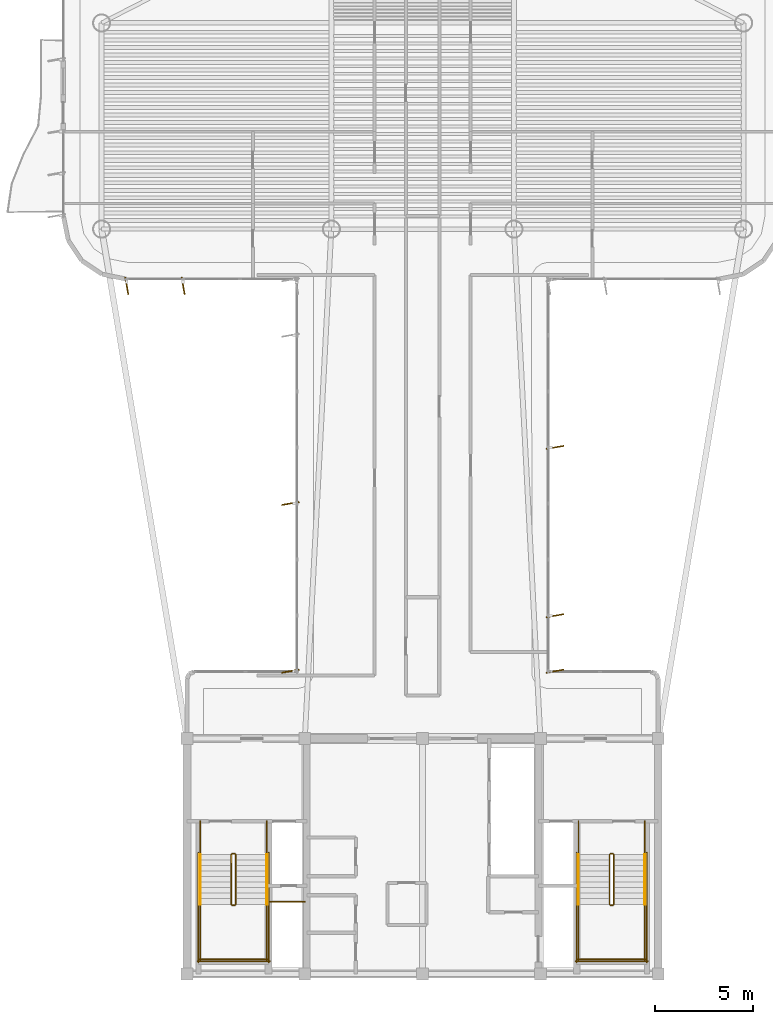
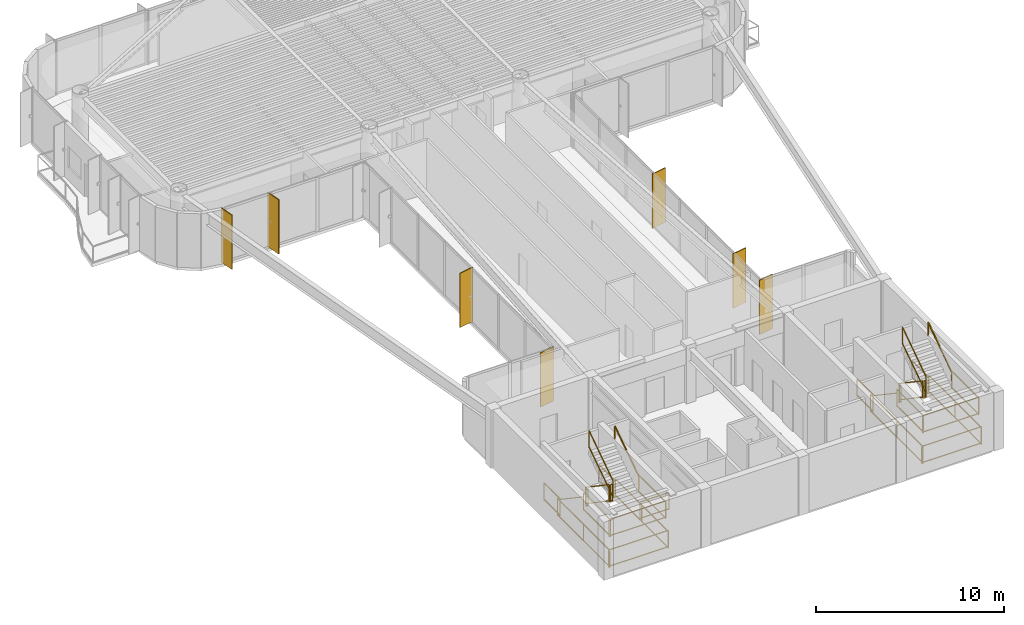
# One storey, part 14 of 15: 29 railings, 7 shading devices.
"""IFC4 building model written with IfcOpenShell, lengths in metres."""

import ifcopenshell
import ifcopenshell.guid

model = None  # the IFC model being written
_history = None  # IfcOwnerHistory: only IFC2X3 demands one
_inside = {}  # id of a spatial element -> (the spatial element, [elements in it])
_under = {}  # id of a project, library or spatial element -> (it, [spatial elements below it])
_declared = {}  # id of a project -> (the project, [libraries it declares])
_typed = {}  # id of a type object -> (the type object, [elements of that type])
_made_of = {}  # id of a material, layer set ... -> (it, [elements and type objects made of it])


def new_model(schema):
    """Start an empty IFC model of exactly this schema.

    Asked for "IFC4X3", IfcOpenShell would pick the latest addendum, in which some entities
    have other attributes; the version numbers below select the first issue.
    IFC2X3 requires an IfcOwnerHistory on every rooted entity: one is made here for all.
    """
    global model, _history
    if schema == "IFC4X3":
        model = ifcopenshell.file(schema_version=(4, 3, 0, 0))
    else:
        model = ifcopenshell.file(schema=schema)
    _inside.clear()
    _under.clear()
    _declared.clear()
    _typed.clear()
    _made_of.clear()
    _history = None
    if model.schema == "IFC2X3":
        org = make("IfcOrganization", Name="unknown")
        user = make(
            "IfcPersonAndOrganization",
            ThePerson=make("IfcPerson", FamilyName="unknown"),
            TheOrganization=org,
        )
        app = make(
            "IfcApplication",
            ApplicationDeveloper=org,
            Version="unknown",
            ApplicationFullName="unknown",
            ApplicationIdentifier="unknown",
        )
        _history = make(
            "IfcOwnerHistory",
            OwningUser=user,
            OwningApplication=app,
            ChangeAction="ADDED",
            CreationDate=0,
        )
    return model


def make(cls, **values):
    """One entity of the class cls with the attributes given. An attribute that is None is left unset."""
    return model.create_entity(
        cls, **{name: value for name, value in values.items() if value is not None}
    )


def rooted(cls, **values):
    """An entity with a GlobalId (a new one), such as an element, a storey or a relation."""
    return make(cls, GlobalId=ifcopenshell.guid.new(), OwnerHistory=_history, **values)


def si_unit(unit_type, name, prefix=None):
    """IfcSIUnit, for example si_unit("LENGTHUNIT", "METRE", prefix="MILLI")."""
    return make("IfcSIUnit", UnitType=unit_type, Prefix=prefix, Name=name)


def assignment(units):
    """IfcUnitAssignment: the units of a project."""
    return None if units is None else make("IfcUnitAssignment", Units=units)


def point(xyz):
    """IfcCartesianPoint."""
    return None if xyz is None else make("IfcCartesianPoint", Coordinates=xyz)


def direction(xyz):
    """IfcDirection."""
    return None if xyz is None else make("IfcDirection", DirectionRatios=xyz)


def frame(location, z_axis=None, x_axis=None):
    """IfcAxis2Placement3D, a coordinate frame: its origin and axes. An axis left out is left unset."""
    return make(
        "IfcAxis2Placement3D",
        Location=point(location),
        Axis=direction(z_axis),
        RefDirection=direction(x_axis),
    )


def frame_2d(location, x_axis=None):
    """IfcAxis2Placement2D, a coordinate frame in the plane: its origin and x axis."""
    return make(
        "IfcAxis2Placement2D", Location=point(location), RefDirection=direction(x_axis)
    )


def origin():
    """The frame at (0, 0, 0) with its axes left unset."""
    return frame((0.0, 0.0, 0.0))


def origin_2d():
    """The frame at (0, 0) in the plane with its x axis left unset."""
    return frame_2d((0.0, 0.0))


def place(relative_to, where):
    """IfcLocalPlacement: puts the frame where relative to a parent placement (None: the world)."""
    return make(
        "IfcLocalPlacement", PlacementRelTo=relative_to, RelativePlacement=where
    )


def context(
    kind, dimensions, precision=None, world=None, true_north=None, identifier=None
):
    """IfcGeometricRepresentationContext, for example the 3D "Model" context."""
    return make(
        "IfcGeometricRepresentationContext",
        ContextIdentifier=identifier,
        ContextType=kind,
        CoordinateSpaceDimension=dimensions,
        Precision=precision,
        WorldCoordinateSystem=world,
        TrueNorth=true_north,
    )


def subcontext(parent, identifier, kind, view, scale=None):
    """IfcGeometricRepresentationSubContext, for example "Body" below "Model"."""
    return make(
        "IfcGeometricRepresentationSubContext",
        ContextIdentifier=identifier,
        ContextType=kind,
        ParentContext=parent,
        TargetScale=scale,
        TargetView=view,
    )


def project(units=None, contexts=None):
    """IfcProject with its units and contexts."""
    return rooted(
        "IfcProject",
        Name="project",
        RepresentationContexts=contexts,
        UnitsInContext=assignment(units),
    )


def spatial(cls, under=None, at=None, **own):
    """A site, building, storey or space (cls), placed at a placement, below another one or the project."""
    s = rooted(cls, ObjectPlacement=at, **own)
    if under is not None:
        _under.setdefault(under.id(), (under, []))[1].append(s)
    return s


def profile(cls, at=None, kind="AREA", **sizes):
    """A parametric profile (cls). Its sizes go by their IFC names, for example OverallWidth=200.0."""
    return make(cls, ProfileType=kind, Position=at, **sizes)


def rectangle(**sizes):
    """IfcRectangleProfileDef."""
    return profile("IfcRectangleProfileDef", **sizes)


def extrude(swept, where, along, depth):
    """IfcExtrudedAreaSolid: the profile swept, set in the frame where, extruded along a direction by depth."""
    return make(
        "IfcExtrudedAreaSolid",
        SweptArea=swept,
        Position=where,
        ExtrudedDirection=direction(along),
        Depth=depth,
    )


def shape(context_of_items, identifier, shape_type, items):
    """IfcShapeRepresentation: the items that make up one representation, for example the "Body"."""
    return make(
        "IfcShapeRepresentation",
        ContextOfItems=context_of_items,
        RepresentationIdentifier=identifier,
        RepresentationType=shape_type,
        Items=items,
    )


def source(mapping_origin, context_of_items, identifier, shape_type, items):
    """IfcRepresentationMap: a shape defined once, which mapped items show again and again."""
    return make(
        "IfcRepresentationMap",
        MappingOrigin=mapping_origin,
        MappedRepresentation=shape(context_of_items, identifier, shape_type, items),
    )


def transform(
    local_origin,
    x_axis=None,
    y_axis=None,
    z_axis=None,
    scale=None,
    scale2=None,
    scale3=None,
    uniform=True,
):
    """IfcCartesianTransformationOperator3D, or its non-uniform kind. x_axis, y_axis, z_axis: its Axis1, 2, 3."""
    if uniform:
        return make(
            "IfcCartesianTransformationOperator3D",
            Axis1=direction(x_axis),
            Axis2=direction(y_axis),
            LocalOrigin=point(local_origin),
            Scale=scale,
            Axis3=direction(z_axis),
        )
    return make(
        "IfcCartesianTransformationOperator3DnonUniform",
        Axis1=direction(x_axis),
        Axis2=direction(y_axis),
        LocalOrigin=point(local_origin),
        Scale=scale,
        Axis3=direction(z_axis),
        Scale2=scale2,
        Scale3=scale3,
    )


def mapped(mapping_source, mapping_target):
    """IfcMappedItem: shows the shape of a source again, moved by a transform."""
    return make(
        "IfcMappedItem", MappingSource=mapping_source, MappingTarget=mapping_target
    )


def material(Name=None, Category=None):
    """IfcMaterial."""
    return make("IfcMaterial", Name=Name, Category=Category)


def layer(
    of_material, thickness, ventilated=None, Name=None, Category=None, Priority=None
):
    """IfcMaterialLayer: one layer of a wall or slab, of a material (None: an air gap)."""
    return make(
        "IfcMaterialLayer",
        Material=of_material,
        LayerThickness=thickness,
        IsVentilated=ventilated,
        Name=Name,
        Category=Category,
        Priority=Priority,
    )


def layer_set(layers, Name=None):
    """IfcMaterialLayerSet."""
    return make("IfcMaterialLayerSet", MaterialLayers=layers, LayerSetName=Name)


def material_profile(
    of_material, cross_section, Name=None, Category=None, Priority=None
):
    """IfcMaterialProfile: a cross section and its material."""
    return make(
        "IfcMaterialProfile",
        Name=Name,
        Material=of_material,
        Profile=cross_section,
        Priority=Priority,
        Category=Category,
    )


def profile_set(profiles, Name=None, composite=None):
    """IfcMaterialProfileSet."""
    return make(
        "IfcMaterialProfileSet",
        Name=Name,
        MaterialProfiles=profiles,
        CompositeProfile=composite,
    )


def made_of(thing, what):
    """Note that an element or type object is made of a material, layer set ...; save() writes the relation."""
    if what is not None:
        _made_of.setdefault(what.id(), (what, []))[1].append(thing)
    return thing


def type_object(cls, material=None, **own):
    """A type object (cls), such as IfcWallType, which elements share."""
    return made_of(rooted(cls, **own), material)


def element(
    cls,
    number,
    at=None,
    inside=None,
    cuts=None,
    type_object=None,
    material=None,
    context=None,
    identifier="Body",
    shape_type=None,
    held_by="IfcProductDefinitionShape",
    body=None,
    shapes=None,
    **own,
):
    """One element of the class cls, such as IfcWall. Its Tag is "e" and its number.

    at: its placement. inside: the storey or other place that contains it. cuts: it is an
    opening in that element (IfcRelVoidsElement). A single representation is given by context,
    identifier, shape_type and body (its items); several are given by shapes. held_by: the class
    of the entity that holds the representations. save() writes the other relations.
    """
    e = rooted(cls, Tag="e%d" % number, ObjectPlacement=at, **own)
    if body is not None:
        shapes = [shape(context, identifier, shape_type, body)]
    if shapes is not None:
        e.Representation = make(held_by, Representations=shapes)
    if inside is not None:
        _inside.setdefault(inside.id(), (inside, []))[1].append(e)
    if cuts is not None:
        rooted(
            "IfcRelVoidsElement", RelatingBuildingElement=cuts, RelatedOpeningElement=e
        )
    if type_object is not None:
        _typed.setdefault(type_object.id(), (type_object, []))[1].append(e)
    return made_of(e, material)


def aggregate(whole, parts):
    """IfcRelAggregates: a whole, such as a stair, and the parts it consists of."""
    return rooted("IfcRelAggregates", RelatingObject=whole, RelatedObjects=parts)


def save(model, path):
    """Write the relations noted so far, then the file.

    IfcRelAggregates (storeys below a building ...), IfcRelContainedInSpatialStructure (elements
    in a storey), IfcRelDefinesByType, IfcRelAssociatesMaterial and IfcRelDeclares: one each for
    every whole, place, type object, material and project.
    """
    for whole, parts in _under.values():
        aggregate(whole, parts)
    for where, things in _inside.values():
        rooted(
            "IfcRelContainedInSpatialStructure",
            RelatedElements=things,
            RelatingStructure=where,
        )
    for kind, things in _typed.values():
        rooted("IfcRelDefinesByType", RelatedObjects=things, RelatingType=kind)
    for what, things in _made_of.values():
        rooted("IfcRelAssociatesMaterial", RelatedObjects=things, RelatingMaterial=what)
    for by, libraries in _declared.values():
        rooted("IfcRelDeclares", RelatingContext=by, RelatedDefinitions=libraries)
    model.write(path)


model = new_model("IFC4")

# Units and contexts
model_context = context("Model", 3, precision=1e-05, world=origin(), true_north=direction((0.0, 1.0)))
body_context = subcontext(model_context, "Body", "Model", "MODEL_VIEW")
ifc_project = project(units=[si_unit("LENGTHUNIT", "METRE"), si_unit("AREAUNIT", "SQUARE_METRE"), si_unit("VOLUMEUNIT", "CUBIC_METRE"), si_unit("PLANEANGLEUNIT", "RADIAN"), si_unit("MASSUNIT", "GRAM", prefix="KILO")], contexts=[model_context])

# Site, building, storey
site_placement = place(None, origin())
site = spatial("IfcSite", under=ifc_project, at=site_placement, CompositionType="ELEMENT")
building_placement = place(site_placement, origin())
building = spatial("IfcBuilding", under=site, at=building_placement, Name="Brelvock Crest Care Tower", CompositionType="ELEMENT")
storey_placement = place(building_placement, frame((0.0, 0.0, 241.919921875)))
storey = spatial("IfcBuildingStorey", under=building, at=storey_placement, Name="L61", CompositionType="ELEMENT", Elevation=241.919921875)

# Railings
ifc_material_1 = material(Name="Steel Grade 350", Category="steel")
ifc_layer_1 = layer(ifc_material_1, 0.050048828125, Name="RL-STG1")
ifc_layer_set_1 = layer_set([ifc_layer_1], Name="Steel Grade 350")
railing_type_1 = type_object("IfcRailingType", Name="RL-STG1", PredefinedType="GUARDRAIL", material=ifc_layer_set_1)
railing_1_placement = place(storey_placement, frame((26.260009765625, 12.080078125, 0.18896484375)))
element("IfcRailing", 1, at=railing_1_placement, inside=storey, type_object=railing_type_1, Name="L61 ST-1 stair guard 1", PredefinedType="GUARDRAIL", context=body_context, shape_type="SweptSolid", body=[
    extrude(rectangle(XDim=0.048095703125, YDim=0.048095703125, at=origin_2d()), frame((0.0, -0.001708984375, 1.116943359375), z_axis=(0.0, -0.82882447046, 0.559508710537), x_axis=(1.0, 0.0, 0.0)), (0.0, 0.0, 1.0), 3.036376953125),
    extrude(rectangle(XDim=0.048095703125, YDim=0.048095703125, at=origin_2d()), frame((0.0, -0.001708984375, 0.05615234375), z_axis=(0.0, -0.82882447046, 0.559508710537), x_axis=(1.0, 0.0, 0.0)), (0.0, 0.0, 1.0), 3.036376953125),
    extrude(rectangle(XDim=0.0419921875, YDim=0.0419921875, at=origin_2d()), origin(), (0.0, 0.0, 1.0), 1.08984375),
    extrude(rectangle(XDim=0.0419921875, YDim=0.0419921875, at=origin_2d()), frame((0.0, -2.52001953125, 1.701171875)), (0.0, 0.0, 1.0), 1.08984375),
])
railing_2_placement = place(storey_placement, frame((26.31005859375, 9.510009765625, 1.89013671875)))
element("IfcRailing", 2, at=railing_2_placement, inside=storey, type_object=railing_type_1, Name="L61 ST-1 stair guard 2", PredefinedType="GUARDRAIL", context=body_context, shape_type="SweptSolid", body=[
    extrude(rectangle(XDim=0.048095703125, YDim=0.048095703125, at=origin_2d()), frame((0.001953125, 0.0, 1.11572265625), z_axis=(1.0, 0.0, 0.0), x_axis=(0.0, 1.0, 0.0)), (0.0, 0.0, 1.0), 0.115966796875),
    extrude(rectangle(XDim=0.048095703125, YDim=0.048095703125, at=origin_2d()), frame((0.001953125, 0.0, 0.054931640625), z_axis=(1.0, 0.0, 0.0), x_axis=(0.0, 1.0, 0.0)), (0.0, 0.0, 1.0), 0.115966796875),
    extrude(rectangle(XDim=0.0419921875, YDim=0.0419921875, at=origin_2d()), origin(), (0.0, 0.0, 1.0), 1.08984375),
    extrude(rectangle(XDim=0.0419921875, YDim=0.0419921875, at=origin_2d()), frame((0.119873046875, 0.0, 0.0)), (0.0, 0.0, 1.0), 1.08984375),
])
for number, where, name in (
    (3, (24.679931640625, 9.56005859375, 1.89013671875), "L61 ST-1 stair guard 3"),
    (4, (28.06005859375, 9.56005859375, 1.89013671875), "L61 ST-1 stair guard 4"),
):
    element("IfcRailing", number, at=place(storey_placement, frame(where)), inside=storey, type_object=railing_type_1, Name=name, PredefinedType="GUARDRAIL", context=body_context, shape_type="SweptSolid", body=[
        extrude(rectangle(XDim=0.048095703125, YDim=0.048095703125, at=origin_2d()), frame((0.0, -0.001953125, 1.11572265625), z_axis=(0.0, -1.0, 0.0), x_axis=(1.0, 0.0, 0.0)), (0.0, 0.0, 1.0), 2.856201171875),
        extrude(rectangle(XDim=0.048095703125, YDim=0.048095703125, at=origin_2d()), frame((0.0, -0.001953125, 0.054931640625), z_axis=(0.0, -1.0, 0.0), x_axis=(1.0, 0.0, 0.0)), (0.0, 0.0, 1.0), 2.856201171875),
        extrude(rectangle(XDim=0.0419921875, YDim=0.0419921875, at=origin_2d()), origin(), (0.0, 0.0, 1.0), 1.08984375),
        extrude(rectangle(XDim=0.0419921875, YDim=0.0419921875, at=origin_2d()), frame((0.0, -2.860107421875, 0.0)), (0.0, 0.0, 1.0), 1.08984375),
    ])
railing_3_placement = place(storey_placement, frame((24.6298828125, 6.75, 1.89013671875)))
element("IfcRailing", 5, at=railing_3_placement, inside=storey, type_object=railing_type_1, Name="L61 ST-1 stair guard 5", PredefinedType="GUARDRAIL", context=body_context, shape_type="SweptSolid", body=[
    extrude(rectangle(XDim=0.048095703125, YDim=0.048095703125, at=origin_2d()), frame((0.001953125, 0.0, 1.11572265625), z_axis=(1.0, 0.0, 0.0), x_axis=(0.0, 1.0, 0.0)), (0.0, 0.0, 1.0), 3.476318359375),
    extrude(rectangle(XDim=0.048095703125, YDim=0.048095703125, at=origin_2d()), frame((0.001953125, 0.0, 0.054931640625), z_axis=(1.0, 0.0, 0.0), x_axis=(0.0, 1.0, 0.0)), (0.0, 0.0, 1.0), 3.476318359375),
    extrude(rectangle(XDim=0.0419921875, YDim=0.0419921875, at=origin_2d()), origin(), (0.0, 0.0, 1.0), 1.08984375),
    extrude(rectangle(XDim=0.0419921875, YDim=0.0419921875, at=origin_2d()), frame((3.480224609375, 0.0, 0.0)), (0.0, 0.0, 1.0), 1.08984375),
])
railing_4_placement = place(storey_placement, frame((26.47998046875, 9.56005859375, 2.0791015625)))
element("IfcRailing", 6, at=railing_4_placement, inside=storey, type_object=railing_type_1, Name="L61 ST-1 stair guard 6", PredefinedType="GUARDRAIL", context=body_context, shape_type="SweptSolid", body=[
    extrude(rectangle(XDim=0.048095703125, YDim=0.048095703125, at=origin_2d()), frame((0.0, 0.001708984375, 1.116943359375), z_axis=(0.0, 0.828861706735, 0.559453546873), x_axis=(-1.0, 0.0, 0.0)), (0.0, 0.0, 1.0), 3.036376953125),
    extrude(rectangle(XDim=0.048095703125, YDim=0.048095703125, at=origin_2d()), frame((0.0, 0.001708984375, 0.05615234375), z_axis=(0.0, 0.828861706735, 0.559453546873), x_axis=(-1.0, 0.0, 0.0)), (0.0, 0.0, 1.0), 3.036376953125),
    extrude(rectangle(XDim=0.0419921875, YDim=0.0419921875, at=origin_2d()), origin(), (0.0, 0.0, 1.0), 1.08984375),
    extrude(rectangle(XDim=0.0419921875, YDim=0.0419921875, at=origin_2d()), frame((0.0, 2.52001953125, 1.700927734375)), (0.0, 0.0, 1.0), 1.08984375),
])
railing_5_placement = place(storey_placement, frame((26.31005859375, 12.1298828125, 0.0)))
element("IfcRailing", 7, at=railing_5_placement, inside=storey, type_object=railing_type_1, Name="L61 ST-1 stair guard 7", PredefinedType="GUARDRAIL", context=body_context, shape_type="SweptSolid", body=[
    extrude(rectangle(XDim=0.048095703125, YDim=0.048095703125, at=origin_2d()), frame((0.001953125, 0.0, 1.11572265625), z_axis=(1.0, 0.0, 0.0), x_axis=(0.0, 1.0, 0.0)), (0.0, 0.0, 1.0), 0.115966796875),
    extrude(rectangle(XDim=0.048095703125, YDim=0.048095703125, at=origin_2d()), frame((0.001953125, 0.0, 0.054931640625), z_axis=(1.0, 0.0, 0.0), x_axis=(0.0, 1.0, 0.0)), (0.0, 0.0, 1.0), 0.115966796875),
    extrude(rectangle(XDim=0.0419921875, YDim=0.0419921875, at=origin_2d()), origin(), (0.0, 0.0, 1.0), 1.08984375),
    extrude(rectangle(XDim=0.0419921875, YDim=0.0419921875, at=origin_2d()), frame((0.119873046875, 0.0, 0.0)), (0.0, 0.0, 1.0), 1.08984375),
])
for number, where, name in (
    (8, (24.679931640625, 13.780029296875, 0.0), "L61 ST-1 stair guard 8"),
    (9, (28.06005859375, 13.780029296875, 0.0), "L61 ST-1 stair guard 9"),
):
    element("IfcRailing", number, at=place(storey_placement, frame(where)), inside=storey, type_object=railing_type_1, Name=name, PredefinedType="GUARDRAIL", context=body_context, shape_type="SweptSolid", body=[
        extrude(rectangle(XDim=0.048095703125, YDim=0.048095703125, at=origin_2d()), frame((0.0, -0.001953125, 1.11572265625), z_axis=(0.0, -1.0, 0.0), x_axis=(1.0, 0.0, 0.0)), (0.0, 0.0, 1.0), 1.696044921875),
        extrude(rectangle(XDim=0.048095703125, YDim=0.048095703125, at=origin_2d()), frame((0.0, -0.001953125, 0.054931640625), z_axis=(0.0, -1.0, 0.0), x_axis=(1.0, 0.0, 0.0)), (0.0, 0.0, 1.0), 1.696044921875),
        extrude(rectangle(XDim=0.0419921875, YDim=0.0419921875, at=origin_2d()), origin(), (0.0, 0.0, 1.0), 1.08984375),
        extrude(rectangle(XDim=0.0419921875, YDim=0.0419921875, at=origin_2d()), frame((0.0, -1.699951171875, 0.0)), (0.0, 0.0, 1.0), 1.08984375),
    ])
for number, where, name in (
    (10, (24.580078125, 12.179931640625, 0.0), "L61 ST-1 stair guard 10"),
    (11, (28.159912109375, 12.179931640625, 0.0), "L61 ST-1 stair guard 11"),
):
    element("IfcRailing", number, at=place(storey_placement, frame(where)), inside=storey, type_object=railing_type_1, Name=name, PredefinedType="GUARDRAIL", context=body_context, shape_type="SweptSolid", body=[
        extrude(rectangle(XDim=0.048095703125, YDim=0.048095703125, at=origin_2d()), frame((0.0, -0.001953125, 1.11572265625), z_axis=(0.0, -1.0, 0.0), x_axis=(1.0, 0.0, 0.0)), (0.0, 0.0, 1.0), 5.575927734375),
        extrude(rectangle(XDim=0.048095703125, YDim=0.048095703125, at=origin_2d()), frame((0.0, -0.001953125, 0.054931640625), z_axis=(0.0, -1.0, 0.0), x_axis=(1.0, 0.0, 0.0)), (0.0, 0.0, 1.0), 5.575927734375),
        extrude(rectangle(XDim=0.0419921875, YDim=0.0419921875, at=origin_2d()), origin(), (0.0, 0.0, 1.0), 1.08984375),
        extrude(rectangle(XDim=0.0419921875, YDim=0.0419921875, at=origin_2d()), frame((0.0, -2.7900390625, 0.0)), (0.0, 0.0, 1.0), 1.08984375),
        extrude(rectangle(XDim=0.0419921875, YDim=0.0419921875, at=origin_2d()), frame((0.0, -5.579833984375, 0.0)), (0.0, 0.0, 1.0), 1.08984375),
    ])
railing_6_placement = place(storey_placement, frame((24.530029296875, 6.64990234375, 0.0)))
element("IfcRailing", 12, at=railing_6_placement, inside=storey, type_object=railing_type_1, Name="L61 ST-1 stair guard 12", PredefinedType="GUARDRAIL", context=body_context, shape_type="SweptSolid", body=[
    extrude(rectangle(XDim=0.048095703125, YDim=0.048095703125, at=origin_2d()), frame((0.001953125, 0.0, 1.11572265625), z_axis=(1.0, 0.0, 0.0), x_axis=(0.0, 1.0, 0.0)), (0.0, 0.0, 1.0), 3.676025390625),
    extrude(rectangle(XDim=0.048095703125, YDim=0.048095703125, at=origin_2d()), frame((0.001953125, 0.0, 0.054931640625), z_axis=(1.0, 0.0, 0.0), x_axis=(0.0, 1.0, 0.0)), (0.0, 0.0, 1.0), 3.676025390625),
    extrude(rectangle(XDim=0.0419921875, YDim=0.0419921875, at=origin_2d()), origin(), (0.0, 0.0, 1.0), 1.08984375),
    extrude(rectangle(XDim=0.0419921875, YDim=0.0419921875, at=origin_2d()), frame((3.679931640625, 0.0, 0.0)), (0.0, 0.0, 1.0), 1.08984375),
])
railing_7_placement = place(storey_placement, frame((45.52001953125, 12.080078125, 0.18896484375)))
element("IfcRailing", 13, at=railing_7_placement, inside=storey, type_object=railing_type_1, Name="L61 ST-2 stair guard 1", PredefinedType="GUARDRAIL", context=body_context, shape_type="SweptSolid", body=[
    extrude(rectangle(XDim=0.048095703125, YDim=0.048095703125, at=origin_2d()), frame((0.0, -0.001708984375, 1.116943359375), z_axis=(0.0, -0.82882447046, 0.559508710537), x_axis=(1.0, 0.0, 0.0)), (0.0, 0.0, 1.0), 3.036376953125),
    extrude(rectangle(XDim=0.048095703125, YDim=0.048095703125, at=origin_2d()), frame((0.0, -0.001708984375, 0.05615234375), z_axis=(0.0, -0.82882447046, 0.559508710537), x_axis=(1.0, 0.0, 0.0)), (0.0, 0.0, 1.0), 3.036376953125),
    extrude(rectangle(XDim=0.0419921875, YDim=0.0419921875, at=origin_2d()), origin(), (0.0, 0.0, 1.0), 1.08984375),
    extrude(rectangle(XDim=0.0419921875, YDim=0.0419921875, at=origin_2d()), frame((0.0, -2.52001953125, 1.701171875)), (0.0, 0.0, 1.0), 1.08984375),
])
railing_8_placement = place(storey_placement, frame((45.570068359375, 9.510009765625, 1.89013671875)))
element("IfcRailing", 14, at=railing_8_placement, inside=storey, type_object=railing_type_1, Name="L61 ST-2 stair guard 2", PredefinedType="GUARDRAIL", context=body_context, shape_type="SweptSolid", body=[
    extrude(rectangle(XDim=0.048095703125, YDim=0.048095703125, at=origin_2d()), frame((0.001953125, 0.0, 1.11572265625), z_axis=(1.0, 0.0, 0.0), x_axis=(0.0, 1.0, 0.0)), (0.0, 0.0, 1.0), 0.115966796875),
    extrude(rectangle(XDim=0.048095703125, YDim=0.048095703125, at=origin_2d()), frame((0.001953125, 0.0, 0.054931640625), z_axis=(1.0, 0.0, 0.0), x_axis=(0.0, 1.0, 0.0)), (0.0, 0.0, 1.0), 0.115966796875),
    extrude(rectangle(XDim=0.0419921875, YDim=0.0419921875, at=origin_2d()), origin(), (0.0, 0.0, 1.0), 1.08984375),
    extrude(rectangle(XDim=0.0419921875, YDim=0.0419921875, at=origin_2d()), frame((0.119873046875, 0.0, 0.0)), (0.0, 0.0, 1.0), 1.08984375),
])
for number, where, name in (
    (15, (43.93994140625, 9.56005859375, 1.89013671875), "L61 ST-2 stair guard 3"),
    (16, (47.320068359375, 9.56005859375, 1.89013671875), "L61 ST-2 stair guard 4"),
):
    element("IfcRailing", number, at=place(storey_placement, frame(where)), inside=storey, type_object=railing_type_1, Name=name, PredefinedType="GUARDRAIL", context=body_context, shape_type="SweptSolid", body=[
        extrude(rectangle(XDim=0.048095703125, YDim=0.048095703125, at=origin_2d()), frame((0.0, -0.001953125, 1.11572265625), z_axis=(0.0, -1.0, 0.0), x_axis=(1.0, 0.0, 0.0)), (0.0, 0.0, 1.0), 2.856201171875),
        extrude(rectangle(XDim=0.048095703125, YDim=0.048095703125, at=origin_2d()), frame((0.0, -0.001953125, 0.054931640625), z_axis=(0.0, -1.0, 0.0), x_axis=(1.0, 0.0, 0.0)), (0.0, 0.0, 1.0), 2.856201171875),
        extrude(rectangle(XDim=0.0419921875, YDim=0.0419921875, at=origin_2d()), origin(), (0.0, 0.0, 1.0), 1.08984375),
        extrude(rectangle(XDim=0.0419921875, YDim=0.0419921875, at=origin_2d()), frame((0.0, -2.860107421875, 0.0)), (0.0, 0.0, 1.0), 1.08984375),
    ])
railing_9_placement = place(storey_placement, frame((43.889892578125, 6.75, 1.89013671875)))
element("IfcRailing", 17, at=railing_9_placement, inside=storey, type_object=railing_type_1, Name="L61 ST-2 stair guard 5", PredefinedType="GUARDRAIL", context=body_context, shape_type="SweptSolid", body=[
    extrude(rectangle(XDim=0.048095703125, YDim=0.048095703125, at=origin_2d()), frame((0.001953125, 0.0, 1.11572265625), z_axis=(1.0, 0.0, 0.0), x_axis=(0.0, 1.0, 0.0)), (0.0, 0.0, 1.0), 3.476318359375),
    extrude(rectangle(XDim=0.048095703125, YDim=0.048095703125, at=origin_2d()), frame((0.001953125, 0.0, 0.054931640625), z_axis=(1.0, 0.0, 0.0), x_axis=(0.0, 1.0, 0.0)), (0.0, 0.0, 1.0), 3.476318359375),
    extrude(rectangle(XDim=0.0419921875, YDim=0.0419921875, at=origin_2d()), origin(), (0.0, 0.0, 1.0), 1.08984375),
    extrude(rectangle(XDim=0.0419921875, YDim=0.0419921875, at=origin_2d()), frame((3.480224609375, 0.0, 0.0)), (0.0, 0.0, 1.0), 1.08984375),
])
railing_10_placement = place(storey_placement, frame((45.739990234375, 9.56005859375, 2.0791015625)))
element("IfcRailing", 18, at=railing_10_placement, inside=storey, type_object=railing_type_1, Name="L61 ST-2 stair guard 6", PredefinedType="GUARDRAIL", context=body_context, shape_type="SweptSolid", body=[
    extrude(rectangle(XDim=0.048095703125, YDim=0.048095703125, at=origin_2d()), frame((0.0, 0.001708984375, 1.116943359375), z_axis=(0.0, 0.828861706735, 0.559453546873), x_axis=(-1.0, 0.0, 0.0)), (0.0, 0.0, 1.0), 3.036376953125),
    extrude(rectangle(XDim=0.048095703125, YDim=0.048095703125, at=origin_2d()), frame((0.0, 0.001708984375, 0.05615234375), z_axis=(0.0, 0.828861706735, 0.559453546873), x_axis=(-1.0, 0.0, 0.0)), (0.0, 0.0, 1.0), 3.036376953125),
    extrude(rectangle(XDim=0.0419921875, YDim=0.0419921875, at=origin_2d()), origin(), (0.0, 0.0, 1.0), 1.08984375),
    extrude(rectangle(XDim=0.0419921875, YDim=0.0419921875, at=origin_2d()), frame((0.0, 2.52001953125, 1.700927734375)), (0.0, 0.0, 1.0), 1.08984375),
])
railing_11_placement = place(storey_placement, frame((45.570068359375, 12.1298828125, 0.0)))
element("IfcRailing", 19, at=railing_11_placement, inside=storey, type_object=railing_type_1, Name="L61 ST-2 stair guard 7", PredefinedType="GUARDRAIL", context=body_context, shape_type="SweptSolid", body=[
    extrude(rectangle(XDim=0.048095703125, YDim=0.048095703125, at=origin_2d()), frame((0.001953125, 0.0, 1.11572265625), z_axis=(1.0, 0.0, 0.0), x_axis=(0.0, 1.0, 0.0)), (0.0, 0.0, 1.0), 0.115966796875),
    extrude(rectangle(XDim=0.048095703125, YDim=0.048095703125, at=origin_2d()), frame((0.001953125, 0.0, 0.054931640625), z_axis=(1.0, 0.0, 0.0), x_axis=(0.0, 1.0, 0.0)), (0.0, 0.0, 1.0), 0.115966796875),
    extrude(rectangle(XDim=0.0419921875, YDim=0.0419921875, at=origin_2d()), origin(), (0.0, 0.0, 1.0), 1.08984375),
    extrude(rectangle(XDim=0.0419921875, YDim=0.0419921875, at=origin_2d()), frame((0.119873046875, 0.0, 0.0)), (0.0, 0.0, 1.0), 1.08984375),
])
for number, where, name in (
    (20, (43.93994140625, 13.780029296875, 0.0), "L61 ST-2 stair guard 8"),
    (21, (47.320068359375, 13.780029296875, 0.0), "L61 ST-2 stair guard 9"),
):
    element("IfcRailing", number, at=place(storey_placement, frame(where)), inside=storey, type_object=railing_type_1, Name=name, PredefinedType="GUARDRAIL", context=body_context, shape_type="SweptSolid", body=[
        extrude(rectangle(XDim=0.048095703125, YDim=0.048095703125, at=origin_2d()), frame((0.0, -0.001953125, 1.11572265625), z_axis=(0.0, -1.0, 0.0), x_axis=(1.0, 0.0, 0.0)), (0.0, 0.0, 1.0), 1.696044921875),
        extrude(rectangle(XDim=0.048095703125, YDim=0.048095703125, at=origin_2d()), frame((0.0, -0.001953125, 0.054931640625), z_axis=(0.0, -1.0, 0.0), x_axis=(1.0, 0.0, 0.0)), (0.0, 0.0, 1.0), 1.696044921875),
        extrude(rectangle(XDim=0.0419921875, YDim=0.0419921875, at=origin_2d()), origin(), (0.0, 0.0, 1.0), 1.08984375),
        extrude(rectangle(XDim=0.0419921875, YDim=0.0419921875, at=origin_2d()), frame((0.0, -1.699951171875, 0.0)), (0.0, 0.0, 1.0), 1.08984375),
    ])
for number, where, name in (
    (22, (43.840087890625, 12.179931640625, 0.0), "L61 ST-2 stair guard 10"),
    (23, (47.419921875, 12.179931640625, 0.0), "L61 ST-2 stair guard 11"),
):
    element("IfcRailing", number, at=place(storey_placement, frame(where)), inside=storey, type_object=railing_type_1, Name=name, PredefinedType="GUARDRAIL", context=body_context, shape_type="SweptSolid", body=[
        extrude(rectangle(XDim=0.048095703125, YDim=0.048095703125, at=origin_2d()), frame((0.0, -0.001953125, 1.11572265625), z_axis=(0.0, -1.0, 0.0), x_axis=(1.0, 0.0, 0.0)), (0.0, 0.0, 1.0), 5.575927734375),
        extrude(rectangle(XDim=0.048095703125, YDim=0.048095703125, at=origin_2d()), frame((0.0, -0.001953125, 0.054931640625), z_axis=(0.0, -1.0, 0.0), x_axis=(1.0, 0.0, 0.0)), (0.0, 0.0, 1.0), 5.575927734375),
        extrude(rectangle(XDim=0.0419921875, YDim=0.0419921875, at=origin_2d()), origin(), (0.0, 0.0, 1.0), 1.08984375),
        extrude(rectangle(XDim=0.0419921875, YDim=0.0419921875, at=origin_2d()), frame((0.0, -2.7900390625, 0.0)), (0.0, 0.0, 1.0), 1.08984375),
        extrude(rectangle(XDim=0.0419921875, YDim=0.0419921875, at=origin_2d()), frame((0.0, -5.579833984375, 0.0)), (0.0, 0.0, 1.0), 1.08984375),
    ])
railing_12_placement = place(storey_placement, frame((43.7900390625, 6.64990234375, 0.0)))
element("IfcRailing", 24, at=railing_12_placement, inside=storey, type_object=railing_type_1, Name="L61 ST-2 stair guard 12", PredefinedType="GUARDRAIL", context=body_context, shape_type="SweptSolid", body=[
    extrude(rectangle(XDim=0.048095703125, YDim=0.048095703125, at=origin_2d()), frame((0.001953125, 0.0, 1.11572265625), z_axis=(1.0, 0.0, 0.0), x_axis=(0.0, 1.0, 0.0)), (0.0, 0.0, 1.0), 3.676025390625),
    extrude(rectangle(XDim=0.048095703125, YDim=0.048095703125, at=origin_2d()), frame((0.001953125, 0.0, 0.054931640625), z_axis=(1.0, 0.0, 0.0), x_axis=(0.0, 1.0, 0.0)), (0.0, 0.0, 1.0), 3.676025390625),
    extrude(rectangle(XDim=0.0419921875, YDim=0.0419921875, at=origin_2d()), origin(), (0.0, 0.0, 1.0), 1.08984375),
    extrude(rectangle(XDim=0.0419921875, YDim=0.0419921875, at=origin_2d()), frame((3.679931640625, 0.0, 0.0)), (0.0, 0.0, 1.0), 1.08984375),
])
railing_13_placement = place(storey_placement, frame((28.219970703125, 9.679931640625, 0.0)))
element("IfcRailing", 25, at=railing_13_placement, inside=storey, type_object=railing_type_1, Name="L61 Fire Riser Threshold Guard", PredefinedType="GUARDRAIL", context=body_context, shape_type="SweptSolid", body=[
    extrude(rectangle(XDim=0.048095703125, YDim=0.048095703125, at=origin_2d()), frame((0.001953125, 0.0, 1.11572265625), z_axis=(1.0, 0.0, 0.0), x_axis=(0.0, 1.0, 0.0)), (0.0, 0.0, 1.0), 1.776123046875),
    extrude(rectangle(XDim=0.048095703125, YDim=0.048095703125, at=origin_2d()), frame((0.001953125, 0.0, 0.054931640625), z_axis=(1.0, 0.0, 0.0), x_axis=(0.0, 1.0, 0.0)), (0.0, 0.0, 1.0), 1.776123046875),
    extrude(rectangle(XDim=0.0419921875, YDim=0.0419921875, at=origin_2d()), origin(), (0.0, 0.0, 1.0), 1.08984375),
    extrude(rectangle(XDim=0.0419921875, YDim=0.0419921875, at=origin_2d()), frame((1.780029296875, 0.0, 0.0)), (0.0, 0.0, 1.0), 1.08984375),
])
ifc_layer_2 = layer(ifc_material_1, 0.048095703125, Name="RL-STH1")
ifc_layer_set_2 = layer_set([ifc_layer_2], Name="Steel Grade 350")
railing_type_2 = type_object("IfcRailingType", Name="RL-STH1", PredefinedType="HANDRAIL", material=ifc_layer_set_2)
railing_14_placement = place(storey_placement, frame((24.679931640625, 12.080078125, 0.18896484375)))
element("IfcRailing", 26, at=railing_14_placement, inside=storey, type_object=railing_type_2, Name="L61 ST-1 stair handrail 1", PredefinedType="HANDRAIL", context=body_context, shape_type="SweptSolid", body=[
    extrude(rectangle(XDim=0.048095703125, YDim=0.048095703125, at=origin_2d()), frame((0.0, -0.001708984375, 0.876953125), z_axis=(0.0, -0.82882447046, 0.559508710537), x_axis=(1.0, 0.0, 0.0)), (0.0, 0.0, 1.0), 3.036376953125),
    extrude(rectangle(XDim=0.0419921875, YDim=0.0419921875, at=origin_2d()), origin(), (0.0, 0.0, 1.0), 0.849853515625),
    extrude(rectangle(XDim=0.0419921875, YDim=0.0419921875, at=origin_2d()), frame((0.0, -2.52001953125, 1.701171875)), (0.0, 0.0, 1.0), 0.849853515625),
])
railing_15_placement = place(storey_placement, frame((28.06005859375, 9.56005859375, 2.0791015625)))
element("IfcRailing", 27, at=railing_15_placement, inside=storey, type_object=railing_type_2, Name="L61 ST-1 stair handrail 2", PredefinedType="HANDRAIL", context=body_context, shape_type="SweptSolid", body=[
    extrude(rectangle(XDim=0.048095703125, YDim=0.048095703125, at=origin_2d()), frame((0.0, 0.001708984375, 0.876953125), z_axis=(0.0, 0.828861706735, 0.559453546873), x_axis=(-1.0, 0.0, 0.0)), (0.0, 0.0, 1.0), 3.036376953125),
    extrude(rectangle(XDim=0.0419921875, YDim=0.0419921875, at=origin_2d()), origin(), (0.0, 0.0, 1.0), 0.849853515625),
    extrude(rectangle(XDim=0.0419921875, YDim=0.0419921875, at=origin_2d()), frame((0.0, 2.52001953125, 1.700927734375)), (0.0, 0.0, 1.0), 0.849853515625),
])
railing_16_placement = place(storey_placement, frame((43.93994140625, 12.080078125, 0.18896484375)))
element("IfcRailing", 28, at=railing_16_placement, inside=storey, type_object=railing_type_2, Name="L61 ST-2 stair handrail 1", PredefinedType="HANDRAIL", context=body_context, shape_type="SweptSolid", body=[
    extrude(rectangle(XDim=0.048095703125, YDim=0.048095703125, at=origin_2d()), frame((0.0, -0.001708984375, 0.876953125), z_axis=(0.0, -0.82882447046, 0.559508710537), x_axis=(1.0, 0.0, 0.0)), (0.0, 0.0, 1.0), 3.036376953125),
    extrude(rectangle(XDim=0.0419921875, YDim=0.0419921875, at=origin_2d()), origin(), (0.0, 0.0, 1.0), 0.849853515625),
    extrude(rectangle(XDim=0.0419921875, YDim=0.0419921875, at=origin_2d()), frame((0.0, -2.52001953125, 1.701171875)), (0.0, 0.0, 1.0), 0.849853515625),
])
railing_17_placement = place(storey_placement, frame((47.320068359375, 9.56005859375, 2.0791015625)))
element("IfcRailing", 29, at=railing_17_placement, inside=storey, type_object=railing_type_2, Name="L61 ST-2 stair handrail 2", PredefinedType="HANDRAIL", context=body_context, shape_type="SweptSolid", body=[
    extrude(rectangle(XDim=0.048095703125, YDim=0.048095703125, at=origin_2d()), frame((0.0, 0.001708984375, 0.876953125), z_axis=(0.0, 0.828861706735, 0.559453546873), x_axis=(-1.0, 0.0, 0.0)), (0.0, 0.0, 1.0), 3.036376953125),
    extrude(rectangle(XDim=0.0419921875, YDim=0.0419921875, at=origin_2d()), origin(), (0.0, 0.0, 1.0), 0.849853515625),
    extrude(rectangle(XDim=0.0419921875, YDim=0.0419921875, at=origin_2d()), frame((0.0, 2.52001953125, 1.700927734375)), (0.0, 0.0, 1.0), 0.849853515625),
])

# Shading devices
ifc_material_2 = material(Name="Aluminium 6063-T6", Category="aluminium")
ifc_material_profile = material_profile(ifc_material_2, rectangle(XDim=0.054931640625, YDim=0.89990234375, at=origin_2d()), Name="FIN55x900")
ifc_profile_set = profile_set([ifc_material_profile], Name="Aluminium 6063-T6")
shading_device_type = type_object("IfcShadingDeviceType", Name="SHD-FIN1", PredefinedType="USERDEFINED", material=ifc_profile_set)
shared_shape = source(origin(), body_context, "Body", "SweptSolid", [
    extrude(rectangle(XDim=0.054931640625, YDim=0.89990234375, at=origin_2d()), origin(), (0.0, 0.0, 1.0), 3.530029296875),
])
for number, where, z_axis, x_axis, name in (
    (30, (29.260009765625, 21.429931640625, 0.0), (0.0, 0.0, 1.0), (-0.173648177667, 0.984807753012, 0.0), "L61 Vertical Sunshade Fin E11-01"),
    (31, (29.260009765625, 29.971435546875, 0.0), (0.0, 0.0, 1.0), (-0.173648177667, 0.984807753012, 0.0), "L61 Vertical Sunshade Fin E11-04"),
    (32, (23.800048828125, 41.06005859375, 0.0), (0.0, 0.0, 1.0), (-0.984807753012, -0.173648177667, 0.0), "L61 Vertical Sunshade Fin E12-03"),
    (33, (20.929931640625, 41.06005859375, 0.0), (0.0, 0.0, 1.0), (-0.984807753012, -0.173648177667, 0.0), "L61 Vertical Sunshade Fin E12-04"),
    (34, (42.739990234375, 32.82861328125, 0.0), (0.0, 0.0, 1.0), (0.173648177667, -0.984807753012, 0.0), "L61 Vertical Sunshade Fin E45-04"),
    (35, (42.739990234375, 24.257080078125, 0.0), (0.0, 0.0, 1.0), (0.173648177667, -0.984807753012, 0.0), "L61 Vertical Sunshade Fin E45-07"),
    (36, (42.739990234375, 21.429931640625, 0.0), (0.0, 0.0, 1.0), (0.173648177667, -0.984807753012, 0.0), "L61 Vertical Sunshade Fin E45-08"),
):
    element("IfcShadingDevice", number, at=place(storey_placement, frame(where, z_axis=z_axis, x_axis=x_axis)), inside=storey, type_object=shading_device_type, Name=name, ObjectType="FIN", PredefinedType="USERDEFINED", context=body_context, shape_type="MappedRepresentation", body=[
        mapped(shared_shape, transform((0.0, 0.0, 0.0), x_axis=(1.0, 0.0, 0.0), y_axis=(0.0, 1.0, 0.0), z_axis=(0.0, 0.0, 1.0), scale=1.0)),
    ])

save(model, "model.ifc")
